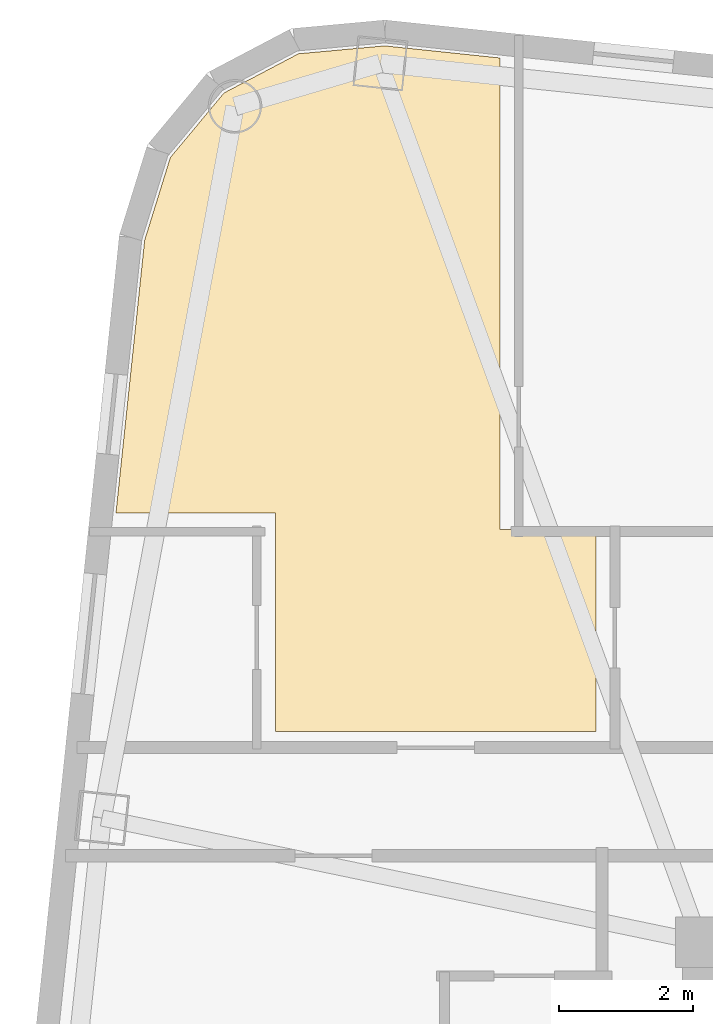
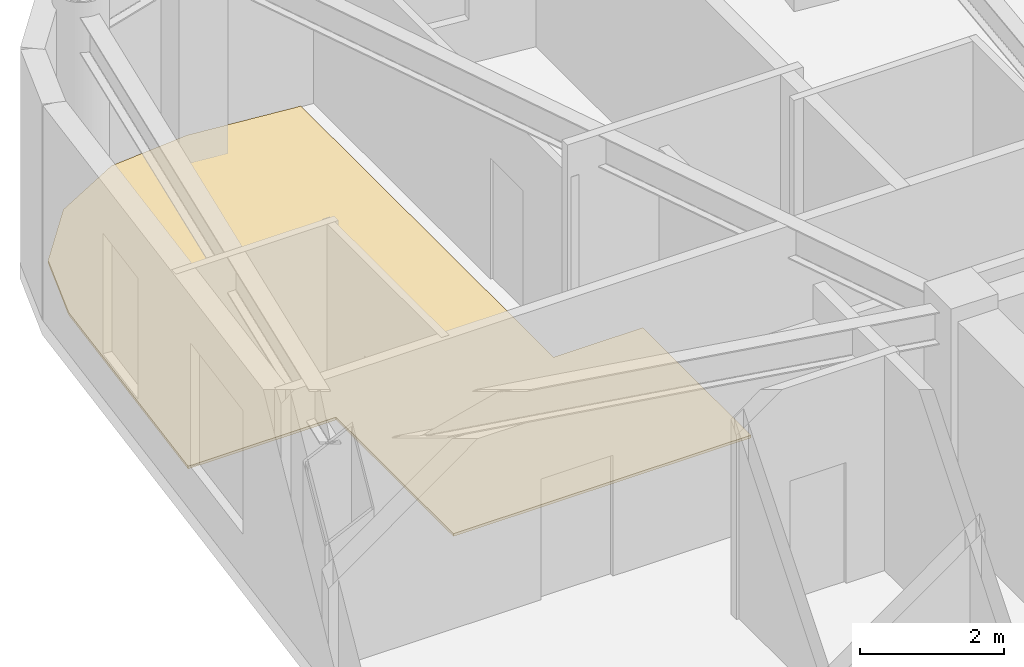
# One storey, part 16 of 16: 1 covering.
"""IFC4 building model written with IfcOpenShell, lengths in metres."""

import ifcopenshell
import ifcopenshell.guid

model = None  # the IFC model being written
_history = None  # IfcOwnerHistory: only IFC2X3 demands one
_inside = {}  # id of a spatial element -> (the spatial element, [elements in it])
_under = {}  # id of a project, library or spatial element -> (it, [spatial elements below it])
_declared = {}  # id of a project -> (the project, [libraries it declares])
_typed = {}  # id of a type object -> (the type object, [elements of that type])
_made_of = {}  # id of a material, layer set ... -> (it, [elements and type objects made of it])


def new_model(schema):
    """Start an empty IFC model of exactly this schema.

    Asked for "IFC4X3", IfcOpenShell would pick the latest addendum, in which some entities
    have other attributes; the version numbers below select the first issue.
    IFC2X3 requires an IfcOwnerHistory on every rooted entity: one is made here for all.
    """
    global model, _history
    if schema == "IFC4X3":
        model = ifcopenshell.file(schema_version=(4, 3, 0, 0))
    else:
        model = ifcopenshell.file(schema=schema)
    _inside.clear()
    _under.clear()
    _declared.clear()
    _typed.clear()
    _made_of.clear()
    _history = None
    if model.schema == "IFC2X3":
        org = make("IfcOrganization", Name="unknown")
        user = make(
            "IfcPersonAndOrganization",
            ThePerson=make("IfcPerson", FamilyName="unknown"),
            TheOrganization=org,
        )
        app = make(
            "IfcApplication",
            ApplicationDeveloper=org,
            Version="unknown",
            ApplicationFullName="unknown",
            ApplicationIdentifier="unknown",
        )
        _history = make(
            "IfcOwnerHistory",
            OwningUser=user,
            OwningApplication=app,
            ChangeAction="ADDED",
            CreationDate=0,
        )
    return model


def make(cls, **values):
    """One entity of the class cls with the attributes given. An attribute that is None is left unset."""
    return model.create_entity(
        cls, **{name: value for name, value in values.items() if value is not None}
    )


def rooted(cls, **values):
    """An entity with a GlobalId (a new one), such as an element, a storey or a relation."""
    return make(cls, GlobalId=ifcopenshell.guid.new(), OwnerHistory=_history, **values)


def si_unit(unit_type, name, prefix=None):
    """IfcSIUnit, for example si_unit("LENGTHUNIT", "METRE", prefix="MILLI")."""
    return make("IfcSIUnit", UnitType=unit_type, Prefix=prefix, Name=name)


def assignment(units):
    """IfcUnitAssignment: the units of a project."""
    return None if units is None else make("IfcUnitAssignment", Units=units)


def point(xyz):
    """IfcCartesianPoint."""
    return None if xyz is None else make("IfcCartesianPoint", Coordinates=xyz)


def direction(xyz):
    """IfcDirection."""
    return None if xyz is None else make("IfcDirection", DirectionRatios=xyz)


def frame(location, z_axis=None, x_axis=None):
    """IfcAxis2Placement3D, a coordinate frame: its origin and axes. An axis left out is left unset."""
    return make(
        "IfcAxis2Placement3D",
        Location=point(location),
        Axis=direction(z_axis),
        RefDirection=direction(x_axis),
    )


def origin():
    """The frame at (0, 0, 0) with its axes left unset."""
    return frame((0.0, 0.0, 0.0))


def place(relative_to, where):
    """IfcLocalPlacement: puts the frame where relative to a parent placement (None: the world)."""
    return make(
        "IfcLocalPlacement", PlacementRelTo=relative_to, RelativePlacement=where
    )


def context(
    kind, dimensions, precision=None, world=None, true_north=None, identifier=None
):
    """IfcGeometricRepresentationContext, for example the 3D "Model" context."""
    return make(
        "IfcGeometricRepresentationContext",
        ContextIdentifier=identifier,
        ContextType=kind,
        CoordinateSpaceDimension=dimensions,
        Precision=precision,
        WorldCoordinateSystem=world,
        TrueNorth=true_north,
    )


def subcontext(parent, identifier, kind, view, scale=None):
    """IfcGeometricRepresentationSubContext, for example "Body" below "Model"."""
    return make(
        "IfcGeometricRepresentationSubContext",
        ContextIdentifier=identifier,
        ContextType=kind,
        ParentContext=parent,
        TargetScale=scale,
        TargetView=view,
    )


def project(units=None, contexts=None):
    """IfcProject with its units and contexts."""
    return rooted(
        "IfcProject",
        Name="project",
        RepresentationContexts=contexts,
        UnitsInContext=assignment(units),
    )


def spatial(cls, under=None, at=None, **own):
    """A site, building, storey or space (cls), placed at a placement, below another one or the project."""
    s = rooted(cls, ObjectPlacement=at, **own)
    if under is not None:
        _under.setdefault(under.id(), (under, []))[1].append(s)
    return s


def polyline(points):
    """IfcPolyline through the points."""
    return make("IfcPolyline", Points=[point(p) for p in points])


def outline(outer, holes=None, kind="AREA"):
    """IfcArbitraryClosedProfileDef: a profile drawn as a closed curve; with holes, ...WithVoids."""
    if holes is None:
        return make("IfcArbitraryClosedProfileDef", ProfileType=kind, OuterCurve=outer)
    return make(
        "IfcArbitraryProfileDefWithVoids",
        ProfileType=kind,
        OuterCurve=outer,
        InnerCurves=holes,
    )


def extrude(swept, where, along, depth):
    """IfcExtrudedAreaSolid: the profile swept, set in the frame where, extruded along a direction by depth."""
    return make(
        "IfcExtrudedAreaSolid",
        SweptArea=swept,
        Position=where,
        ExtrudedDirection=direction(along),
        Depth=depth,
    )


def shape(context_of_items, identifier, shape_type, items):
    """IfcShapeRepresentation: the items that make up one representation, for example the "Body"."""
    return make(
        "IfcShapeRepresentation",
        ContextOfItems=context_of_items,
        RepresentationIdentifier=identifier,
        RepresentationType=shape_type,
        Items=items,
    )


def material(Name=None, Category=None):
    """IfcMaterial."""
    return make("IfcMaterial", Name=Name, Category=Category)


def layer(
    of_material, thickness, ventilated=None, Name=None, Category=None, Priority=None
):
    """IfcMaterialLayer: one layer of a wall or slab, of a material (None: an air gap)."""
    return make(
        "IfcMaterialLayer",
        Material=of_material,
        LayerThickness=thickness,
        IsVentilated=ventilated,
        Name=Name,
        Category=Category,
        Priority=Priority,
    )


def layer_set(layers, Name=None):
    """IfcMaterialLayerSet."""
    return make("IfcMaterialLayerSet", MaterialLayers=layers, LayerSetName=Name)


def made_of(thing, what):
    """Note that an element or type object is made of a material, layer set ...; save() writes the relation."""
    if what is not None:
        _made_of.setdefault(what.id(), (what, []))[1].append(thing)
    return thing


def type_object(cls, material=None, **own):
    """A type object (cls), such as IfcWallType, which elements share."""
    return made_of(rooted(cls, **own), material)


def element(
    cls,
    number,
    at=None,
    inside=None,
    cuts=None,
    type_object=None,
    material=None,
    context=None,
    identifier="Body",
    shape_type=None,
    held_by="IfcProductDefinitionShape",
    body=None,
    shapes=None,
    **own,
):
    """One element of the class cls, such as IfcWall. Its Tag is "e" and its number.

    at: its placement. inside: the storey or other place that contains it. cuts: it is an
    opening in that element (IfcRelVoidsElement). A single representation is given by context,
    identifier, shape_type and body (its items); several are given by shapes. held_by: the class
    of the entity that holds the representations. save() writes the other relations.
    """
    e = rooted(cls, Tag="e%d" % number, ObjectPlacement=at, **own)
    if body is not None:
        shapes = [shape(context, identifier, shape_type, body)]
    if shapes is not None:
        e.Representation = make(held_by, Representations=shapes)
    if inside is not None:
        _inside.setdefault(inside.id(), (inside, []))[1].append(e)
    if cuts is not None:
        rooted(
            "IfcRelVoidsElement", RelatingBuildingElement=cuts, RelatedOpeningElement=e
        )
    if type_object is not None:
        _typed.setdefault(type_object.id(), (type_object, []))[1].append(e)
    return made_of(e, material)


def aggregate(whole, parts):
    """IfcRelAggregates: a whole, such as a stair, and the parts it consists of."""
    return rooted("IfcRelAggregates", RelatingObject=whole, RelatedObjects=parts)


def save(model, path):
    """Write the relations noted so far, then the file.

    IfcRelAggregates (storeys below a building ...), IfcRelContainedInSpatialStructure (elements
    in a storey), IfcRelDefinesByType, IfcRelAssociatesMaterial and IfcRelDeclares: one each for
    every whole, place, type object, material and project.
    """
    for whole, parts in _under.values():
        aggregate(whole, parts)
    for where, things in _inside.values():
        rooted(
            "IfcRelContainedInSpatialStructure",
            RelatedElements=things,
            RelatingStructure=where,
        )
    for kind, things in _typed.values():
        rooted("IfcRelDefinesByType", RelatedObjects=things, RelatingType=kind)
    for what, things in _made_of.values():
        rooted("IfcRelAssociatesMaterial", RelatedObjects=things, RelatingMaterial=what)
    for by, libraries in _declared.values():
        rooted("IfcRelDeclares", RelatingContext=by, RelatedDefinitions=libraries)
    model.write(path)


model = new_model("IFC4")

# Units and contexts
model_context = context("Model", 3, precision=1e-05, world=origin(), true_north=direction((0.0, 1.0)))
body_context = subcontext(model_context, "Body", "Model", "MODEL_VIEW")
ifc_project = project(units=[si_unit("LENGTHUNIT", "METRE"), si_unit("AREAUNIT", "SQUARE_METRE"), si_unit("VOLUMEUNIT", "CUBIC_METRE"), si_unit("PLANEANGLEUNIT", "RADIAN"), si_unit("MASSUNIT", "GRAM", prefix="KILO")], contexts=[model_context])

# Site, building, storey
site_placement = place(None, origin())
site = spatial("IfcSite", under=ifc_project, at=site_placement, CompositionType="ELEMENT")
building_placement = place(site_placement, origin())
building = spatial("IfcBuilding", under=site, at=building_placement, Name="Voryun Gate Residences", CompositionType="ELEMENT")
storey_placement = place(building_placement, frame((0.0, 0.0, 267.800048828125)))
storey = spatial("IfcBuildingStorey", under=building, at=storey_placement, Name="L66", CompositionType="ELEMENT", Elevation=267.800048828125)

# Covering
ifc_material = material(Name="Architectural oak flooring")
ifc_layer = layer(ifc_material, 0.044921875, Name="COV_FLOOR_ONDOL_OAK")
ifc_layer_set = layer_set([ifc_layer], Name="Architectural oak flooring")
covering_type = type_object("IfcCoveringType", Name="COV_FLOOR_ONDOL_OAK", PredefinedType="FLOORING", material=ifc_layer_set)
covering_placement = place(storey_placement, origin())
element("IfcCovering", 1, at=covering_placement, inside=storey, type_object=covering_type, Name="Ondol oak floor FLR-L66-01", PredefinedType="FLOORING", context=body_context, shape_type="SweptSolid", body=[
    extrude(outline(polyline([(-27.486083984375, 17.861328125), (-27.103515625, 19.093994140625), (-26.302734375, 20.056884765625), (-25.194580078125, 20.639892578125), (-23.9091796875, 20.7578125), (-22.18994140625, 20.5771484375), (-22.18994140625, 13.550048828125), (-20.760009765625, 13.550048828125), (-20.760009765625, 10.5400390625), (-25.535888671875, 10.5400390625), (-25.535888671875, 13.800048828125), (-27.9130859375, 13.800048828125), (-27.486083984375, 17.861328125)])), origin(), (0.0, 0.0, 1.0), 0.044921875),
])

save(model, "model.ifc")
